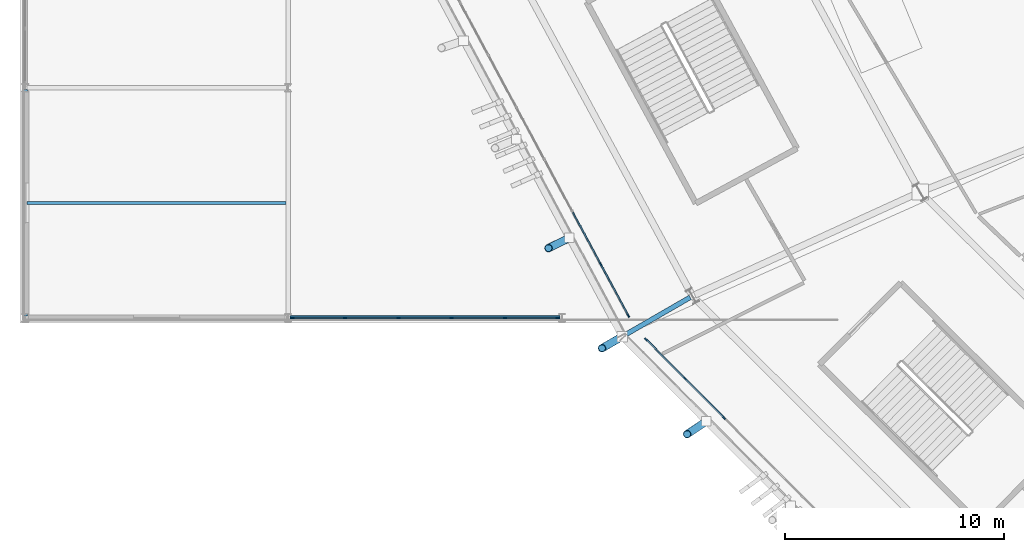
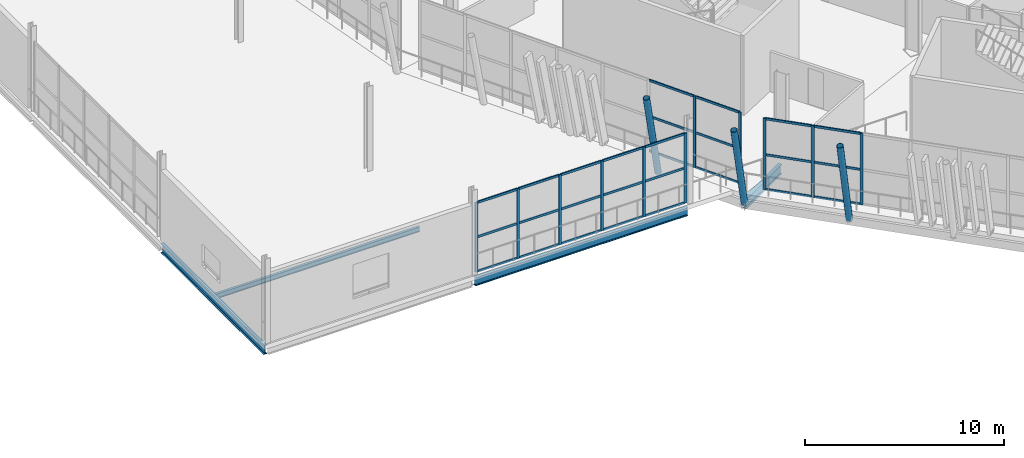
# One storey, part 24 of 168: 41 members, 4 beams, 3 elements without a shape of their own.
"""IFC4 building model written with IfcOpenShell, lengths in metres."""

from ifc_helpers import new_model, si_unit, direction, frame, origin, origin_2d, place, context, subcontext, project, spatial, rectangle, hollow_circle, i_section, extrude, material, material_profile, profile_set, type_object, element, aggregate, save


model = new_model("IFC4")

# Units and contexts
model_context = context("Model", 3, precision=1e-05, world=origin(), true_north=direction((0.0, 1.0)))
body_context = subcontext(model_context, "Body", "Model", "MODEL_VIEW")
ifc_project = project(units=[si_unit("LENGTHUNIT", "METRE"), si_unit("AREAUNIT", "SQUARE_METRE"), si_unit("VOLUMEUNIT", "CUBIC_METRE"), si_unit("PLANEANGLEUNIT", "RADIAN"), si_unit("MASSUNIT", "GRAM", prefix="KILO")], contexts=[model_context])

# Site, building, storey
site_placement = place(None, origin())
site = spatial("IfcSite", under=ifc_project, at=site_placement, CompositionType="ELEMENT")
building_placement = place(site_placement, origin())
building = spatial("IfcBuilding", under=site, at=building_placement, Name="Zlatoyarsky Gate Stadium", CompositionType="ELEMENT")
storey_placement = place(building_placement, frame((0.0, 0.0, 15.60009765625)))
storey = spatial("IfcBuildingStorey", under=building, at=storey_placement, Name="L03", CompositionType="ELEMENT", Elevation=15.60009765625)

# Curtain wall, members
ifc_material_1 = material(Name="Thermally broken anodised aluminium curtain wall", Category="aluminium")
curtain_wall_type_1 = type_object("IfcCurtainWallType", Name="UNITISED CORPORATE BOX GLAZING L03", PredefinedType="USERDEFINED", material=ifc_material_1)
curtain_wall_1_placement = place(storey_placement, origin())
curtain_wall_1 = element("IfcCurtainWall", 1, at=curtain_wall_1_placement, inside=storey, type_object=curtain_wall_type_1, Name="Curtain wall CW-L03-13", ObjectType="UNITISED GLAZING", PredefinedType="USERDEFINED")
ifc_material_2 = material(Name="Anodised aluminium 6063-T6", Category="aluminium")
ifc_material_profile_1 = material_profile(ifc_material_2, rectangle(XDim=0.06494140625, YDim=0.159912109375, at=origin_2d()), Name="ALU 65X160")
ifc_profile_set_1 = profile_set([ifc_material_profile_1], Name="Anodised aluminium 6063-T6")
member_type_1 = type_object("IfcMemberType", Name="ALUMINIUM MULLION 65X160", PredefinedType="MULLION", material=ifc_profile_set_1)
member_1_placement = place(storey_placement, frame((26.269775390625, 45.95751953125, 0.0), z_axis=(0.0, 0.0, 1.0), x_axis=(0.880877202392, 0.473344857694, 0.0)))
member_1 = element("IfcMember", 2, at=member_1_placement, type_object=member_type_1, Name="CW-UG3 mullion 7", PredefinedType="MULLION", context=body_context, shape_type="SweptSolid", body=[
    extrude(rectangle(XDim=0.06494140625, YDim=0.159912109375, at=origin_2d()), origin(), (0.0, 0.0, 1.0), 4.3798828125),
])
member_2_placement = place(storey_placement, frame((27.53662109375, 43.60009765625, 0.0), z_axis=(0.0, 0.0, 1.0), x_axis=(0.880877202392, 0.473344857694, 0.0)))
member_2 = element("IfcMember", 3, at=member_2_placement, type_object=member_type_1, Name="CW-UG3 mullion 8", PredefinedType="MULLION", context=body_context, shape_type="SweptSolid", body=[
    extrude(rectangle(XDim=0.06494140625, YDim=0.159912109375, at=origin_2d()), origin(), (0.0, 0.0, 1.0), 4.3798828125),
])

curtain_wall_2_placement = place(storey_placement, origin())
curtain_wall_2 = element("IfcCurtainWall", 4, at=curtain_wall_2_placement, inside=storey, type_object=curtain_wall_type_1, Name="Curtain wall CW-L03-14", ObjectType="UNITISED GLAZING", PredefinedType="USERDEFINED")
member_3_placement = place(storey_placement, frame((28.34130859375, 42.51513671875, 0.0), z_axis=(0.0, 0.0, 1.0), x_axis=(0.708721143054, 0.705488725202, 0.0)))
member_3 = element("IfcMember", 5, at=member_3_placement, type_object=member_type_1, Name="CW-UG3 mullion 1", PredefinedType="MULLION", context=body_context, shape_type="SweptSolid", body=[
    extrude(rectangle(XDim=0.06494140625, YDim=0.159912109375, at=origin_2d()), origin(), (0.0, 0.0, 1.0), 4.3798828125),
])
member_4_placement = place(storey_placement, frame((30.110595703125, 40.737548828125, 0.0), z_axis=(0.0, 0.0, 1.0), x_axis=(0.708721143054, 0.705488725202, 0.0)))
member_4 = element("IfcMember", 6, at=member_4_placement, type_object=member_type_1, Name="CW-UG3 mullion 2", PredefinedType="MULLION", context=body_context, shape_type="SweptSolid", body=[
    extrude(rectangle(XDim=0.06494140625, YDim=0.159912109375, at=origin_2d()), origin(), (0.0, 0.0, 1.0), 4.3798828125),
])
member_5_placement = place(storey_placement, frame((31.903076171875, 38.93701171875, 0.0), z_axis=(0.0, 0.0, 1.0), x_axis=(0.708721143054, 0.705488725202, 0.0)))
member_5 = element("IfcMember", 7, at=member_5_placement, type_object=member_type_1, Name="CW-UG3 mullion 3", PredefinedType="MULLION", context=body_context, shape_type="SweptSolid", body=[
    extrude(rectangle(XDim=0.06494140625, YDim=0.159912109375, at=origin_2d()), origin(), (0.0, 0.0, 1.0), 4.3798828125),
])

curtain_wall_type_2 = type_object("IfcCurtainWallType", Name="WINTER GARDEN CONSERVATORY GLAZING", PredefinedType="USERDEFINED", material=ifc_material_1)
curtain_wall_3_placement = place(storey_placement, origin())
curtain_wall_3 = element("IfcCurtainWall", 8, at=curtain_wall_3_placement, inside=storey, type_object=curtain_wall_type_2, Name="Curtain wall CW-V4_WEST-L03-176", ObjectType="UNITISED GLAZING", PredefinedType="USERDEFINED")
member_6_placement = place(storey_placement, frame((12.194580078125, 43.5, 0.0), z_axis=(0.0, 0.0, 1.0), x_axis=(0.0, 1.0, 0.0)))
member_6 = element("IfcMember", 9, at=member_6_placement, type_object=member_type_1, Name="CW-WG1 mullion 1", PredefinedType="MULLION", context=body_context, shape_type="SweptSolid", body=[
    extrude(rectangle(XDim=0.06494140625, YDim=0.159912109375, at=origin_2d()), origin(), (0.0, 0.0, 1.0), 4.27978515625),
])
member_7_placement = place(storey_placement, frame((14.59716796875, 43.5, 0.0), z_axis=(0.0, 0.0, 1.0), x_axis=(0.0, 1.0, 0.0)))
member_7 = element("IfcMember", 10, at=member_7_placement, type_object=member_type_1, Name="CW-WG1 mullion 2", PredefinedType="MULLION", context=body_context, shape_type="SweptSolid", body=[
    extrude(rectangle(XDim=0.06494140625, YDim=0.159912109375, at=origin_2d()), origin(), (0.0, 0.0, 1.0), 4.27978515625),
])
member_8_placement = place(storey_placement, frame((17.032470703125, 43.5, 0.0), z_axis=(0.0, 0.0, 1.0), x_axis=(0.0, 1.0, 0.0)))
member_8 = element("IfcMember", 11, at=member_8_placement, type_object=member_type_1, Name="CW-WG1 mullion 3", PredefinedType="MULLION", context=body_context, shape_type="SweptSolid", body=[
    extrude(rectangle(XDim=0.06494140625, YDim=0.159912109375, at=origin_2d()), origin(), (0.0, 0.0, 1.0), 4.27978515625),
])
member_9_placement = place(storey_placement, frame((19.467529296875, 43.5, 0.0), z_axis=(0.0, 0.0, 1.0), x_axis=(0.0, 1.0, 0.0)))
member_9 = element("IfcMember", 12, at=member_9_placement, type_object=member_type_1, Name="CW-WG1 mullion 4", PredefinedType="MULLION", context=body_context, shape_type="SweptSolid", body=[
    extrude(rectangle(XDim=0.06494140625, YDim=0.159912109375, at=origin_2d()), origin(), (0.0, 0.0, 1.0), 4.27978515625),
])
member_10_placement = place(storey_placement, frame((21.90283203125, 43.5, 0.0), z_axis=(0.0, 0.0, 1.0), x_axis=(0.0, 1.0, 0.0)))
member_10 = element("IfcMember", 13, at=member_10_placement, type_object=member_type_1, Name="CW-WG1 mullion 5", PredefinedType="MULLION", context=body_context, shape_type="SweptSolid", body=[
    extrude(rectangle(XDim=0.06494140625, YDim=0.159912109375, at=origin_2d()), origin(), (0.0, 0.0, 1.0), 4.27978515625),
])
member_11_placement = place(storey_placement, frame((24.305419921875, 43.5, 0.0), z_axis=(0.0, 0.0, 1.0), x_axis=(0.0, 1.0, 0.0)))
member_11 = element("IfcMember", 14, at=member_11_placement, type_object=member_type_1, Name="CW-WG1 mullion 6", PredefinedType="MULLION", context=body_context, shape_type="SweptSolid", body=[
    extrude(rectangle(XDim=0.06494140625, YDim=0.159912109375, at=origin_2d()), origin(), (0.0, 0.0, 1.0), 4.27978515625),
])

# Member
ifc_material_profile_2 = material_profile(ifc_material_2, rectangle(XDim=0.06494140625, YDim=0.139892578125, at=origin_2d()), Name="ALU 65X140")
ifc_profile_set_2 = profile_set([ifc_material_profile_2], Name="Anodised aluminium 6063-T6")
member_type_2 = type_object("IfcMemberType", Name="ALUMINIUM TRANSOM 65X140", PredefinedType="USERDEFINED", material=ifc_profile_set_2)
member_12_placement = place(storey_placement, frame((25.0029296875, 48.315185546875, 0.032470703125), z_axis=(0.473356241073, -0.880871085368, 0.0), x_axis=(0.880871085368, 0.473356241073, 0.0)))
member_12 = element("IfcMember", 15, at=member_12_placement, type_object=member_type_2, Name="CW-UG3 transom 6.1", ObjectType="TRANSOM", PredefinedType="USERDEFINED", context=body_context, shape_type="SweptSolid", body=[
    extrude(rectangle(XDim=0.06494140625, YDim=0.139892578125, at=origin_2d()), origin(), (0.0, 0.0, 1.0), 2.643798828125),
])

member_13_placement = place(storey_placement, frame((25.0029296875, 48.315185546875, 2.14990234375), z_axis=(0.473356241073, -0.880871085368, 0.0), x_axis=(0.880871085368, 0.473356241073, 0.0)))
member_13 = element("IfcMember", 16, at=member_13_placement, type_object=member_type_2, Name="CW-UG3 transom 6.2", ObjectType="TRANSOM", PredefinedType="USERDEFINED", context=body_context, shape_type="SweptSolid", body=[
    extrude(rectangle(XDim=0.06494140625, YDim=0.139892578125, at=origin_2d()), origin(), (0.0, 0.0, 1.0), 2.643798828125),
])

member_14_placement = place(storey_placement, frame((25.0029296875, 48.315185546875, 4.347412109375), z_axis=(0.473356241073, -0.880871085368, 0.0), x_axis=(0.880871085368, 0.473356241073, 0.0)))
member_14 = element("IfcMember", 17, at=member_14_placement, type_object=member_type_2, Name="CW-UG3 transom 6.3", ObjectType="TRANSOM", PredefinedType="USERDEFINED", context=body_context, shape_type="SweptSolid", body=[
    extrude(rectangle(XDim=0.06494140625, YDim=0.139892578125, at=origin_2d()), origin(), (0.0, 0.0, 1.0), 2.643798828125),
])

member_15_placement = place(storey_placement, frame((26.28515625, 45.928955078125, 0.032470703125), z_axis=(0.473347001092, -0.880876050621, 0.0), x_axis=(0.880876050621, 0.473347001092, 0.0)))
member_15 = element("IfcMember", 18, at=member_15_placement, type_object=member_type_2, Name="CW-UG3 transom 7.1", ObjectType="TRANSOM", PredefinedType="USERDEFINED", context=body_context, shape_type="SweptSolid", body=[
    extrude(rectangle(XDim=0.06494140625, YDim=0.139892578125, at=origin_2d()), origin(), (0.0, 0.0, 1.0), 2.611328125),
])

member_16_placement = place(storey_placement, frame((26.28515625, 45.928955078125, 2.14990234375), z_axis=(0.473347001092, -0.880876050621, 0.0), x_axis=(0.880876050621, 0.473347001092, 0.0)))
member_16 = element("IfcMember", 19, at=member_16_placement, type_object=member_type_2, Name="CW-UG3 transom 7.2", ObjectType="TRANSOM", PredefinedType="USERDEFINED", context=body_context, shape_type="SweptSolid", body=[
    extrude(rectangle(XDim=0.06494140625, YDim=0.139892578125, at=origin_2d()), origin(), (0.0, 0.0, 1.0), 2.611328125),
])

member_17_placement = place(storey_placement, frame((26.28515625, 45.928955078125, 4.347412109375), z_axis=(0.473347001092, -0.880876050621, 0.0), x_axis=(0.880876050621, 0.473347001092, 0.0)))
member_17 = element("IfcMember", 20, at=member_17_placement, type_object=member_type_2, Name="CW-UG3 transom 7.3", ObjectType="TRANSOM", PredefinedType="USERDEFINED", context=body_context, shape_type="SweptSolid", body=[
    extrude(rectangle(XDim=0.06494140625, YDim=0.139892578125, at=origin_2d()), origin(), (0.0, 0.0, 1.0), 2.611328125),
])

aggregate(curtain_wall_1, [member_1, member_2, member_12, member_13, member_14, member_15, member_16, member_17])

member_18_placement = place(storey_placement, frame((28.3642578125, 42.4921875, 0.032470703125), z_axis=(0.705456130135, -0.708753587967, 0.0), x_axis=(0.708753587967, 0.705456130135, 0.0)))
member_18 = element("IfcMember", 21, at=member_18_placement, type_object=member_type_2, Name="CW-UG3 transom 1.1", ObjectType="TRANSOM", PredefinedType="USERDEFINED", context=body_context, shape_type="SweptSolid", body=[
    extrude(rectangle(XDim=0.06494140625, YDim=0.139892578125, at=origin_2d()), origin(), (0.0, 0.0, 1.0), 2.443359375),
])

member_19_placement = place(storey_placement, frame((28.3642578125, 42.4921875, 2.14990234375), z_axis=(0.705456130135, -0.708753587967, 0.0), x_axis=(0.708753587967, 0.705456130135, 0.0)))
member_19 = element("IfcMember", 22, at=member_19_placement, type_object=member_type_2, Name="CW-UG3 transom 1.2", ObjectType="TRANSOM", PredefinedType="USERDEFINED", context=body_context, shape_type="SweptSolid", body=[
    extrude(rectangle(XDim=0.06494140625, YDim=0.139892578125, at=origin_2d()), origin(), (0.0, 0.0, 1.0), 2.443359375),
])

member_20_placement = place(storey_placement, frame((28.3642578125, 42.4921875, 4.347412109375), z_axis=(0.705456130135, -0.708753587967, 0.0), x_axis=(0.708753587967, 0.705456130135, 0.0)))
member_20 = element("IfcMember", 23, at=member_20_placement, type_object=member_type_2, Name="CW-UG3 transom 1.3", ObjectType="TRANSOM", PredefinedType="USERDEFINED", context=body_context, shape_type="SweptSolid", body=[
    extrude(rectangle(XDim=0.06494140625, YDim=0.139892578125, at=origin_2d()), origin(), (0.0, 0.0, 1.0), 2.443359375),
])

member_21_placement = place(storey_placement, frame((30.133544921875, 40.714599609375, 0.032470703125), z_axis=(0.705477793712, -0.708732024519, 0.0), x_axis=(0.708732024519, 0.705477793712, 0.0)))
member_21 = element("IfcMember", 24, at=member_21_placement, type_object=member_type_2, Name="CW-UG3 transom 2.1", ObjectType="TRANSOM", PredefinedType="USERDEFINED", context=body_context, shape_type="SweptSolid", body=[
    extrude(rectangle(XDim=0.06494140625, YDim=0.139892578125, at=origin_2d()), origin(), (0.0, 0.0, 1.0), 2.475830078125),
])

member_22_placement = place(storey_placement, frame((30.133544921875, 40.714599609375, 2.14990234375), z_axis=(0.705477793712, -0.708732024519, 0.0), x_axis=(0.708732024519, 0.705477793712, 0.0)))
member_22 = element("IfcMember", 25, at=member_22_placement, type_object=member_type_2, Name="CW-UG3 transom 2.2", ObjectType="TRANSOM", PredefinedType="USERDEFINED", context=body_context, shape_type="SweptSolid", body=[
    extrude(rectangle(XDim=0.06494140625, YDim=0.139892578125, at=origin_2d()), origin(), (0.0, 0.0, 1.0), 2.475830078125),
])

member_23_placement = place(storey_placement, frame((30.133544921875, 40.714599609375, 4.347412109375), z_axis=(0.705477793712, -0.708732024519, 0.0), x_axis=(0.708732024519, 0.705477793712, 0.0)))
member_23 = element("IfcMember", 26, at=member_23_placement, type_object=member_type_2, Name="CW-UG3 transom 2.3", ObjectType="TRANSOM", PredefinedType="USERDEFINED", context=body_context, shape_type="SweptSolid", body=[
    extrude(rectangle(XDim=0.06494140625, YDim=0.139892578125, at=origin_2d()), origin(), (0.0, 0.0, 1.0), 2.475830078125),
])

aggregate(curtain_wall_2, [member_3, member_4, member_5, member_18, member_19, member_20, member_21, member_22, member_23])

member_24_placement = place(storey_placement, frame((12.22705078125, 43.5, 0.032470703125), z_axis=(1.0, 0.0, 0.0), x_axis=(0.0, 1.0, 0.0)))
member_24 = element("IfcMember", 27, at=member_24_placement, type_object=member_type_2, Name="CW-WG1 transom 1.1", ObjectType="TRANSOM", PredefinedType="USERDEFINED", context=body_context, shape_type="SweptSolid", body=[
    extrude(rectangle(XDim=0.06494140625, YDim=0.139892578125, at=origin_2d()), origin(), (0.0, 0.0, 1.0), 2.337646484375),
])

member_25_placement = place(storey_placement, frame((12.22705078125, 43.5, 2.14990234375), z_axis=(1.0, 0.0, 0.0), x_axis=(0.0, 1.0, 0.0)))
member_25 = element("IfcMember", 28, at=member_25_placement, type_object=member_type_2, Name="CW-WG1 transom 1.2", ObjectType="TRANSOM", PredefinedType="USERDEFINED", context=body_context, shape_type="SweptSolid", body=[
    extrude(rectangle(XDim=0.06494140625, YDim=0.139892578125, at=origin_2d()), origin(), (0.0, 0.0, 1.0), 2.337646484375),
])

member_26_placement = place(storey_placement, frame((12.22705078125, 43.5, 4.247314453125), z_axis=(1.0, 0.0, 0.0), x_axis=(0.0, 1.0, 0.0)))
member_26 = element("IfcMember", 29, at=member_26_placement, type_object=member_type_2, Name="CW-WG1 transom 1.3", ObjectType="TRANSOM", PredefinedType="USERDEFINED", context=body_context, shape_type="SweptSolid", body=[
    extrude(rectangle(XDim=0.06494140625, YDim=0.139892578125, at=origin_2d()), origin(), (0.0, 0.0, 1.0), 2.337646484375),
])

member_27_placement = place(storey_placement, frame((14.629638671875, 43.5, 0.032470703125), z_axis=(1.0, 0.0, 0.0), x_axis=(0.0, 1.0, 0.0)))
member_27 = element("IfcMember", 30, at=member_27_placement, type_object=member_type_2, Name="CW-WG1 transom 2.1", ObjectType="TRANSOM", PredefinedType="USERDEFINED", context=body_context, shape_type="SweptSolid", body=[
    extrude(rectangle(XDim=0.06494140625, YDim=0.139892578125, at=origin_2d()), origin(), (0.0, 0.0, 1.0), 2.370361328125),
])

member_28_placement = place(storey_placement, frame((14.629638671875, 43.5, 2.14990234375), z_axis=(1.0, 0.0, 0.0), x_axis=(0.0, 1.0, 0.0)))
member_28 = element("IfcMember", 31, at=member_28_placement, type_object=member_type_2, Name="CW-WG1 transom 2.2", ObjectType="TRANSOM", PredefinedType="USERDEFINED", context=body_context, shape_type="SweptSolid", body=[
    extrude(rectangle(XDim=0.06494140625, YDim=0.139892578125, at=origin_2d()), origin(), (0.0, 0.0, 1.0), 2.370361328125),
])

member_29_placement = place(storey_placement, frame((14.629638671875, 43.5, 4.247314453125), z_axis=(1.0, 0.0, 0.0), x_axis=(0.0, 1.0, 0.0)))
member_29 = element("IfcMember", 32, at=member_29_placement, type_object=member_type_2, Name="CW-WG1 transom 2.3", ObjectType="TRANSOM", PredefinedType="USERDEFINED", context=body_context, shape_type="SweptSolid", body=[
    extrude(rectangle(XDim=0.06494140625, YDim=0.139892578125, at=origin_2d()), origin(), (0.0, 0.0, 1.0), 2.370361328125),
])

member_30_placement = place(storey_placement, frame((17.06494140625, 43.5, 0.032470703125), z_axis=(1.0, 0.0, 0.0), x_axis=(0.0, 1.0, 0.0)))
member_30 = element("IfcMember", 33, at=member_30_placement, type_object=member_type_2, Name="CW-WG1 transom 3.1", ObjectType="TRANSOM", PredefinedType="USERDEFINED", context=body_context, shape_type="SweptSolid", body=[
    extrude(rectangle(XDim=0.06494140625, YDim=0.139892578125, at=origin_2d()), origin(), (0.0, 0.0, 1.0), 2.3701171875),
])

member_31_placement = place(storey_placement, frame((17.06494140625, 43.5, 2.14990234375), z_axis=(1.0, 0.0, 0.0), x_axis=(0.0, 1.0, 0.0)))
member_31 = element("IfcMember", 34, at=member_31_placement, type_object=member_type_2, Name="CW-WG1 transom 3.2", ObjectType="TRANSOM", PredefinedType="USERDEFINED", context=body_context, shape_type="SweptSolid", body=[
    extrude(rectangle(XDim=0.06494140625, YDim=0.139892578125, at=origin_2d()), origin(), (0.0, 0.0, 1.0), 2.3701171875),
])

member_32_placement = place(storey_placement, frame((17.06494140625, 43.5, 4.247314453125), z_axis=(1.0, 0.0, 0.0), x_axis=(0.0, 1.0, 0.0)))
member_32 = element("IfcMember", 35, at=member_32_placement, type_object=member_type_2, Name="CW-WG1 transom 3.3", ObjectType="TRANSOM", PredefinedType="USERDEFINED", context=body_context, shape_type="SweptSolid", body=[
    extrude(rectangle(XDim=0.06494140625, YDim=0.139892578125, at=origin_2d()), origin(), (0.0, 0.0, 1.0), 2.3701171875),
])

member_33_placement = place(storey_placement, frame((19.5, 43.5, 0.032470703125), z_axis=(1.0, 0.0, 0.0), x_axis=(0.0, 1.0, 0.0)))
member_33 = element("IfcMember", 36, at=member_33_placement, type_object=member_type_2, Name="CW-WG1 transom 4.1", ObjectType="TRANSOM", PredefinedType="USERDEFINED", context=body_context, shape_type="SweptSolid", body=[
    extrude(rectangle(XDim=0.06494140625, YDim=0.139892578125, at=origin_2d()), origin(), (0.0, 0.0, 1.0), 2.370361328125),
])

member_34_placement = place(storey_placement, frame((19.5, 43.5, 2.14990234375), z_axis=(1.0, 0.0, 0.0), x_axis=(0.0, 1.0, 0.0)))
member_34 = element("IfcMember", 37, at=member_34_placement, type_object=member_type_2, Name="CW-WG1 transom 4.2", ObjectType="TRANSOM", PredefinedType="USERDEFINED", context=body_context, shape_type="SweptSolid", body=[
    extrude(rectangle(XDim=0.06494140625, YDim=0.139892578125, at=origin_2d()), origin(), (0.0, 0.0, 1.0), 2.370361328125),
])

member_35_placement = place(storey_placement, frame((19.5, 43.5, 4.247314453125), z_axis=(1.0, 0.0, 0.0), x_axis=(0.0, 1.0, 0.0)))
member_35 = element("IfcMember", 38, at=member_35_placement, type_object=member_type_2, Name="CW-WG1 transom 4.3", ObjectType="TRANSOM", PredefinedType="USERDEFINED", context=body_context, shape_type="SweptSolid", body=[
    extrude(rectangle(XDim=0.06494140625, YDim=0.139892578125, at=origin_2d()), origin(), (0.0, 0.0, 1.0), 2.370361328125),
])

member_36_placement = place(storey_placement, frame((21.935302734375, 43.5, 0.032470703125), z_axis=(1.0, 0.0, 0.0), x_axis=(0.0, 1.0, 0.0)))
member_36 = element("IfcMember", 39, at=member_36_placement, type_object=member_type_2, Name="CW-WG1 transom 5.1", ObjectType="TRANSOM", PredefinedType="USERDEFINED", context=body_context, shape_type="SweptSolid", body=[
    extrude(rectangle(XDim=0.06494140625, YDim=0.139892578125, at=origin_2d()), origin(), (0.0, 0.0, 1.0), 2.337646484375),
])

member_37_placement = place(storey_placement, frame((21.935302734375, 43.5, 2.14990234375), z_axis=(1.0, 0.0, 0.0), x_axis=(0.0, 1.0, 0.0)))
member_37 = element("IfcMember", 40, at=member_37_placement, type_object=member_type_2, Name="CW-WG1 transom 5.2", ObjectType="TRANSOM", PredefinedType="USERDEFINED", context=body_context, shape_type="SweptSolid", body=[
    extrude(rectangle(XDim=0.06494140625, YDim=0.139892578125, at=origin_2d()), origin(), (0.0, 0.0, 1.0), 2.337646484375),
])

member_38_placement = place(storey_placement, frame((21.935302734375, 43.5, 4.247314453125), z_axis=(1.0, 0.0, 0.0), x_axis=(0.0, 1.0, 0.0)))
member_38 = element("IfcMember", 41, at=member_38_placement, type_object=member_type_2, Name="CW-WG1 transom 5.3", ObjectType="TRANSOM", PredefinedType="USERDEFINED", context=body_context, shape_type="SweptSolid", body=[
    extrude(rectangle(XDim=0.06494140625, YDim=0.139892578125, at=origin_2d()), origin(), (0.0, 0.0, 1.0), 2.337646484375),
])

aggregate(curtain_wall_3, [member_6, member_7, member_8, member_9, member_10, member_11, member_24, member_25, member_26, member_27, member_28, member_29, member_30, member_31, member_32, member_33, member_34, member_35, member_36, member_37, member_38])

# Beams
ifc_material_3 = material(Name="Steel S355", Category="steel")
ifc_material_profile_3 = material_profile(ifc_material_3, i_section(OverallWidth=0.219970703125, OverallDepth=0.60009765625, WebThickness=0.011962890625, FlangeThickness=0.01904296875, FilletRadius=0.02392578125, at=origin_2d()), Name="IPE 600")
ifc_profile_set_3 = profile_set([ifc_material_profile_3], Name="Steel S355")
beam_type_1 = type_object("IfcBeamType", Name="STEEL CANTILEVER FLOOR BEAM IPE 600", PredefinedType="BEAM", material=ifc_profile_set_3)
beam_1_placement = place(storey_placement, frame((30.355712890625, 44.43994140625, -0.580078125), z_axis=(-0.866036909293, -0.499980071345, 0.0), x_axis=(0.499980071345, -0.866036909293, 0.0)))
element("IfcBeam", 42, at=beam_1_placement, inside=storey, type_object=beam_type_1, Name="Beam B-IPE600 BM-L03-OUT-14", PredefinedType="BEAM", context=body_context, shape_type="SweptSolid", body=[
    extrude(i_section(OverallWidth=0.219970703125, OverallDepth=0.60009765625, WebThickness=0.011962890625, FlangeThickness=0.01904296875, FilletRadius=0.02392578125, at=origin_2d()), origin(), (0.0, 0.0, 1.0), 3.582275390625),
])
ifc_material_profile_4 = material_profile(ifc_material_3, i_section(OverallWidth=0.199951171875, OverallDepth=0.5, WebThickness=0.01025390625, FlangeThickness=0.01611328125, FilletRadius=0.02099609375, at=origin_2d()), Name="IPE 500")
ifc_profile_set_4 = profile_set([ifc_material_profile_4], Name="Steel S355")
beam_type_2 = type_object("IfcBeamType", Name="STEEL FLOOR BEAM IPE 500", PredefinedType="BEAM", material=ifc_profile_set_4)
beam_2_placement = place(storey_placement, frame((12.080078125, 43.5, -0.530029296875), z_axis=(1.0, 0.0, 0.0), x_axis=(0.0, 1.0, 0.0)))
element("IfcBeam", 43, at=beam_2_placement, inside=storey, type_object=beam_type_2, Name="Beam B-IPE500 BM-L03-WGX-2-E", PredefinedType="BEAM", context=body_context, shape_type="SweptSolid", body=[
    extrude(i_section(OverallWidth=0.199951171875, OverallDepth=0.5, WebThickness=0.01025390625, FlangeThickness=0.01611328125, FilletRadius=0.02099609375, at=origin_2d()), origin(), (0.0, 0.0, 1.0), 12.33984375),
])
ifc_material_profile_5 = material_profile(ifc_material_3, i_section(OverallWidth=0.2099609375, OverallDepth=0.550048828125, WebThickness=0.010986328125, FlangeThickness=0.01708984375, FilletRadius=0.02392578125, at=origin_2d()), Name="IPE 550")
ifc_profile_set_5 = profile_set([ifc_material_profile_5], Name="Steel S355")
beam_type_3 = type_object("IfcBeamType", Name="STEEL FLOOR BEAM IPE 550", PredefinedType="BEAM", material=ifc_profile_set_5)
beam_3_placement = place(storey_placement, frame((0.0, 43.580078125, -0.55517578125), z_axis=(0.0, 1.0, 0.0), x_axis=(-1.0, 0.0, 0.0)))
element("IfcBeam", 44, at=beam_3_placement, inside=storey, type_object=beam_type_3, Name="Beam B-IPE550 BM-L03-WGY-1-E", PredefinedType="BEAM", context=body_context, shape_type="SweptSolid", body=[
    extrude(i_section(OverallWidth=0.2099609375, OverallDepth=0.550048828125, WebThickness=0.010986328125, FlangeThickness=0.01708984375, FilletRadius=0.02392578125, at=origin_2d()), origin(), (0.0, 0.0, 1.0), 10.33984375),
])

# Members
ifc_material_profile_6 = material_profile(ifc_material_3, hollow_circle(Radius=0.177734375, WallThickness=0.02001953125, at=origin_2d()), Name="CHS 355.6X20")
ifc_profile_set_6 = profile_set([ifc_material_profile_6], Name="Steel S355")
member_type_3 = type_object("IfcMemberType", Name="STEEL LEANING RIB RING STRUT CHS 355.6X20", PredefinedType="STRUT", material=ifc_profile_set_6)
member_39_placement = place(storey_placement, frame((27.25341796875, 42.64892578125, -0.580078125), z_axis=(-0.174770288575, -0.100910684317, 0.979424514714), x_axis=(0.500026055714, -0.866010359988, 0.0)))
element("IfcMember", 45, at=member_39_placement, inside=storey, type_object=member_type_3, Name="Leaning ring strut 14 L03 to L04", PredefinedType="STRUT", context=body_context, shape_type="SweptSolid", body=[
    extrude(hollow_circle(Radius=0.177734375, WallThickness=0.02001953125, at=origin_2d()), origin(), (0.0, 0.0, 1.0), 5.288818359375),
])
for number, where, z_axis, x_axis, name in (
    (46, (24.838134765625, 47.153076171875, -0.530029296875), (-0.179849366045, -0.088747235311, 0.979682669928), (0.442510646428, -0.896763250695, 0.0), "Outward-leaning bowl louvre fin rib L03 13-3"),
    (47, (31.09521484375, 38.781005859375, -0.530029296875), (-0.166782151145, -0.111372798605, 0.979683527365), (0.555337619613, -0.831624992555, 0.0), "Outward-leaning bowl louvre fin rib L03 14-1"),
):
    element("IfcMember", number, at=place(storey_placement, frame(where, z_axis=z_axis, x_axis=x_axis)), inside=storey, type_object=member_type_3, Name=name, PredefinedType="STRUT", context=body_context, shape_type="SweptSolid", body=[
        extrude(hollow_circle(Radius=0.177734375, WallThickness=0.02001953125, at=origin_2d()), origin(), (0.0, 0.0, 1.0), 5.287353515625),
    ])

# Beam
ifc_material_profile_7 = material_profile(ifc_material_3, i_section(OverallWidth=0.14990234375, OverallDepth=0.300048828125, WebThickness=0.007080078125, FlangeThickness=0.0107421875, FilletRadius=0.014892578125, at=origin_2d()), Name="IPE 300")
ifc_profile_set_7 = profile_set([ifc_material_profile_7], Name="Steel S355")
beam_type_4 = type_object("IfcBeamType", Name="STEEL SECONDARY JOIST IPE 300", PredefinedType="JOIST", material=ifc_profile_set_7)
beam_4_placement = place(storey_placement, frame((0.090087890625, 48.75, -0.43017578125), z_axis=(1.0, 0.0, 0.0), x_axis=(0.0, 1.0, 0.0)))
element("IfcBeam", 48, at=beam_4_placement, inside=storey, type_object=beam_type_4, Name="Beam J-IPE300 JST-L03-1-E", PredefinedType="JOIST", context=body_context, shape_type="SweptSolid", body=[
    extrude(i_section(OverallWidth=0.14990234375, OverallDepth=0.300048828125, WebThickness=0.007080078125, FlangeThickness=0.0107421875, FilletRadius=0.014892578125, at=origin_2d()), origin(), (0.0, 0.0, 1.0), 11.81982421875),
])

save(model, "model.ifc")
